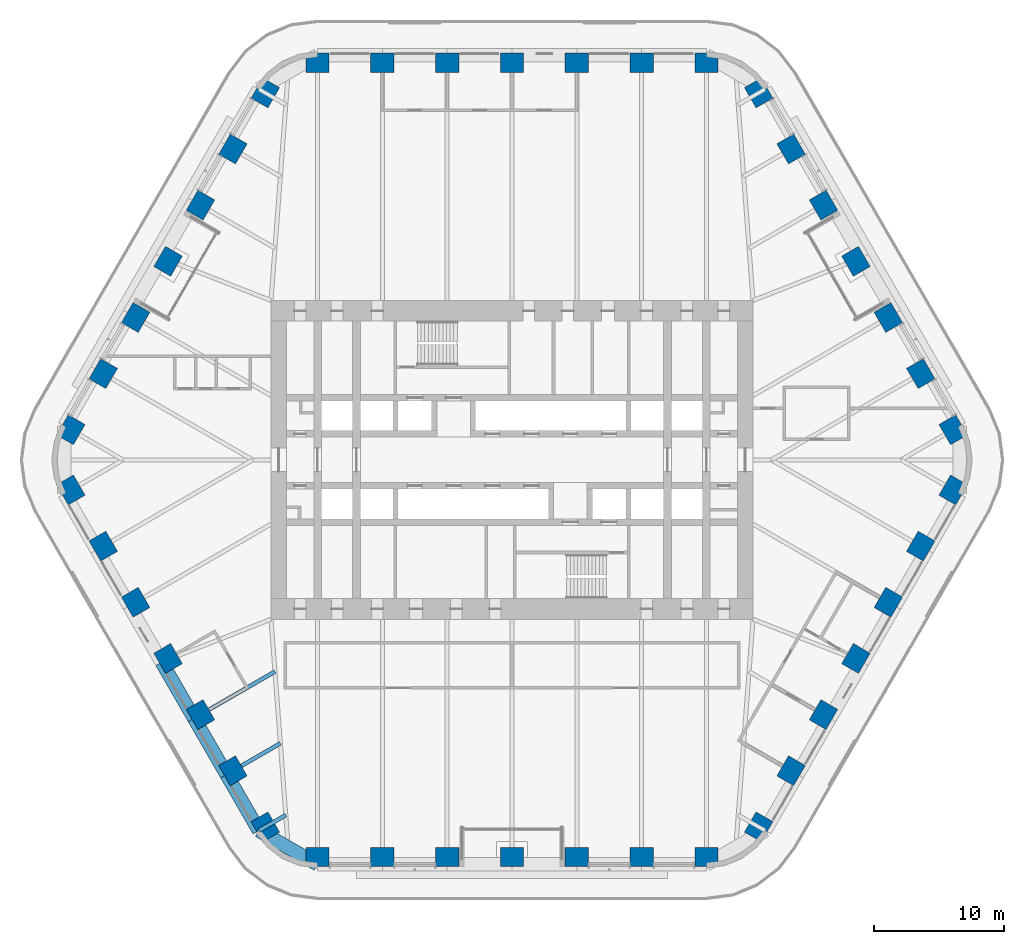
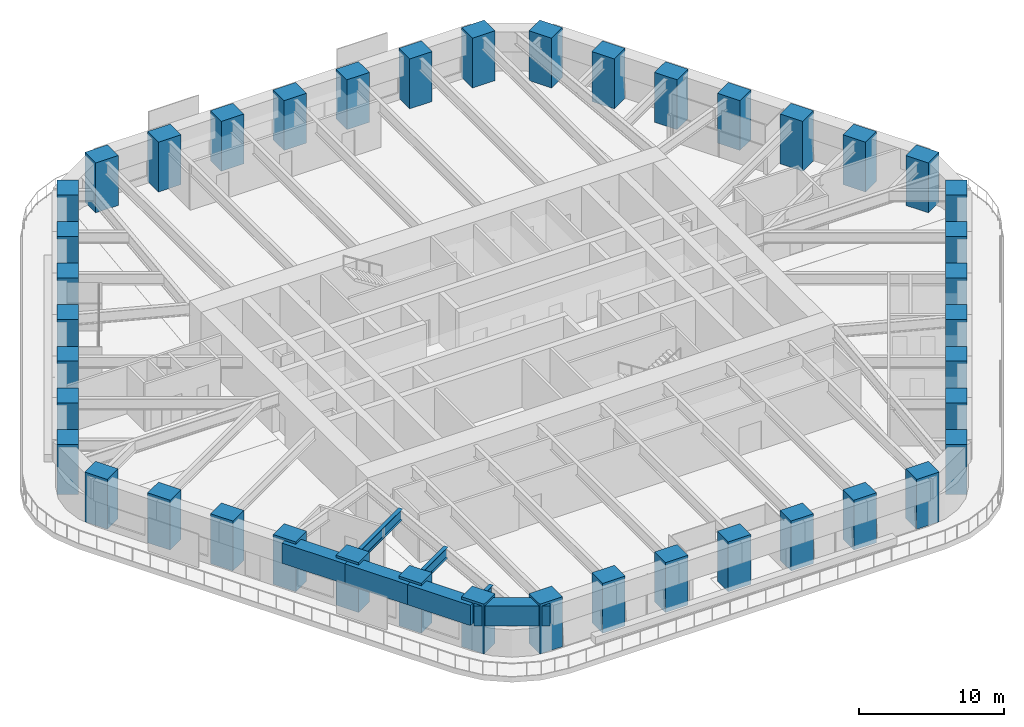
# One storey, part 1 of 24: 42 columns, 7 beams.
"""IFC4 building model written with IfcOpenShell, lengths in metres."""

from ifc_helpers import new_model, si_unit, direction, frame, origin, origin_2d, place, context, subcontext, project, spatial, rectangle, i_section, extrude, material, material_profile, profile_set, type_object, element, save


model = new_model("IFC4")

# Units and contexts
model_context = context("Model", 3, precision=1e-05, world=origin(), true_north=direction((0.0, 1.0)))
body_context = subcontext(model_context, "Body", "Model", "MODEL_VIEW")
ifc_project = project(units=[si_unit("LENGTHUNIT", "METRE"), si_unit("AREAUNIT", "SQUARE_METRE"), si_unit("VOLUMEUNIT", "CUBIC_METRE"), si_unit("PLANEANGLEUNIT", "RADIAN"), si_unit("MASSUNIT", "GRAM", prefix="KILO")], contexts=[model_context])

# Site, building, storey
site_placement = place(None, origin())
site = spatial("IfcSite", under=ifc_project, at=site_placement, CompositionType="ELEMENT")
building_placement = place(site_placement, origin())
building = spatial("IfcBuilding", under=site, at=building_placement, Name="Tarfa Lantern Tower", CompositionType="ELEMENT")
storey_placement = place(building_placement, frame((0.0, 0.0, 123.699951171875)))
storey = spatial("IfcBuildingStorey", under=building, at=storey_placement, Name="L27", CompositionType="ELEMENT", Elevation=123.699951171875)

# Columns
ifc_material_1 = material(Name="Concrete C80/95", Category="concrete")
ifc_material_profile_1 = material_profile(ifc_material_1, rectangle(XDim=1.800048828125, YDim=1.5, at=origin_2d()), Name="RC 1800x1500")
ifc_profile_set_1 = profile_set([ifc_material_profile_1], Name="Concrete C80/95")
column_type = type_object("IfcColumnType", Name="TC5 RC 1800x1500", PredefinedType="COLUMN", material=ifc_profile_set_1)
for number, where, z_axis, x_axis, name in (
    (1, (34.04931640625, 2.324951171875, 0.0), (0.0, 0.0, 1.0), (-0.5, 0.866025403784, 0.0), "Tube column NE0"),
    (2, (31.54736328125, 6.658447265625, 0.0), (0.0, 0.0, 1.0), (-0.5, 0.866025403784, 0.0), "Tube column NE1"),
    (3, (29.04541015625, 10.99169921875, 0.0), (0.0, 0.0, 1.0), (-0.5, 0.866025403784, 0.0), "Tube column NE2"),
    (4, (26.543701171875, 15.324951171875, 0.0), (0.0, 0.0, 1.0), (-0.5, 0.866025403784, 0.0), "Tube column NE3"),
    (5, (24.041748046875, 19.658447265625, 0.0), (0.0, 0.0, 1.0), (-0.5, 0.866025403784, 0.0), "Tube column NE4"),
    (6, (21.5400390625, 23.99169921875, 0.0), (0.0, 0.0, 1.0), (-0.5, 0.866025403784, 0.0), "Tube column NE5"),
    (7, (19.0380859375, 28.324951171875, 0.0), (0.0, 0.0, 1.0), (-0.5, 0.866025403784, 0.0), "Tube column NE6"),
    (8, (15.010986328125, 30.64990234375, 0.0), (0.0, 0.0, 1.0), (-1.0, 0.0, 0.0), "Tube column N0"),
    (9, (10.00732421875, 30.64990234375, 0.0), (0.0, 0.0, 1.0), (-1.0, 0.0, 0.0), "Tube column N1"),
    (10, (5.003662109375, 30.64990234375, 0.0), (0.0, 0.0, 1.0), (-1.0, 0.0, 0.0), "Tube column N2"),
    (11, (0.0, 30.64990234375, 0.0), (0.0, 0.0, 1.0), (-1.0, 0.0, 0.0), "Tube column N3"),
    (12, (-5.003662109375, 30.64990234375, 0.0), (0.0, 0.0, 1.0), (-1.0, 0.0, 0.0), "Tube column N4"),
    (13, (-10.00732421875, 30.64990234375, 0.0), (0.0, 0.0, 1.0), (-1.0, 0.0, 0.0), "Tube column N5"),
    (14, (-15.010986328125, 30.64990234375, 0.0), (0.0, 0.0, 1.0), (-1.0, 0.0, 0.0), "Tube column N6"),
    (15, (-19.0380859375, 28.324951171875, 0.0), (0.0, 0.0, 1.0), (-0.5, -0.866025403784, 0.0), "Tube column NW0"),
    (16, (-21.5400390625, 23.99169921875, 0.0), (0.0, 0.0, 1.0), (-0.5, -0.866025403784, 0.0), "Tube column NW1"),
    (17, (-24.041748046875, 19.658447265625, 0.0), (0.0, 0.0, 1.0), (-0.5, -0.866025403784, 0.0), "Tube column NW2"),
    (18, (-26.543701171875, 15.324951171875, 0.0), (0.0, 0.0, 1.0), (-0.5, -0.866025403784, 0.0), "Tube column NW3"),
    (19, (-29.04541015625, 10.99169921875, 0.0), (0.0, 0.0, 1.0), (-0.5, -0.866025403784, 0.0), "Tube column NW4"),
    (20, (-31.54736328125, 6.658447265625, 0.0), (0.0, 0.0, 1.0), (-0.5, -0.866025403784, 0.0), "Tube column NW5"),
    (21, (-34.04931640625, 2.324951171875, 0.0), (0.0, 0.0, 1.0), (-0.5, -0.866025403784, 0.0), "Tube column NW6"),
    (22, (-34.04931640625, -2.324951171875, 0.0), (0.0, 0.0, 1.0), (0.5, -0.866025403784, 0.0), "Tube column SW0"),
    (23, (-31.54736328125, -6.658447265625, 0.0), (0.0, 0.0, 1.0), (0.5, -0.866025403784, 0.0), "Tube column SW1"),
    (24, (-29.04541015625, -10.99169921875, 0.0), (0.0, 0.0, 1.0), (0.5, -0.866025403784, 0.0), "Tube column SW2"),
    (25, (-26.543701171875, -15.324951171875, 0.0), (0.0, 0.0, 1.0), (0.5, -0.866025403784, 0.0), "Tube column SW3"),
    (26, (-24.041748046875, -19.658447265625, 0.0), (0.0, 0.0, 1.0), (0.5, -0.866025403784, 0.0), "Tube column SW4"),
    (27, (-21.5400390625, -23.99169921875, 0.0), (0.0, 0.0, 1.0), (0.5, -0.866025403784, 0.0), "Tube column SW5"),
    (28, (-19.0380859375, -28.324951171875, 0.0), (0.0, 0.0, 1.0), (0.5, -0.866025403784, 0.0), "Tube column SW6"),
    (29, (-15.010986328125, -30.64990234375, 0.0), (0.0, 0.0, 1.0), (1.0, 0.0, 0.0), "Tube column S0"),
    (30, (-10.00732421875, -30.64990234375, 0.0), (0.0, 0.0, 1.0), (1.0, 0.0, 0.0), "Tube column S1"),
    (31, (-5.003662109375, -30.64990234375, 0.0), (0.0, 0.0, 1.0), (1.0, 0.0, 0.0), "Tube column S2"),
    (32, (0.0, -30.64990234375, 0.0), (0.0, 0.0, 1.0), (1.0, 0.0, 0.0), "Tube column S3"),
    (33, (5.003662109375, -30.64990234375, 0.0), (0.0, 0.0, 1.0), (1.0, 0.0, 0.0), "Tube column S4"),
    (34, (10.00732421875, -30.64990234375, 0.0), (0.0, 0.0, 1.0), (1.0, 0.0, 0.0), "Tube column S5"),
    (35, (15.010986328125, -30.64990234375, 0.0), (0.0, 0.0, 1.0), (1.0, 0.0, 0.0), "Tube column S6"),
    (36, (19.0380859375, -28.324951171875, 0.0), (0.0, 0.0, 1.0), (0.5, 0.866025403784, 0.0), "Tube column SE0"),
    (37, (21.5400390625, -23.99169921875, 0.0), (0.0, 0.0, 1.0), (0.5, 0.866025403784, 0.0), "Tube column SE1"),
    (38, (24.041748046875, -19.658447265625, 0.0), (0.0, 0.0, 1.0), (0.5, 0.866025403784, 0.0), "Tube column SE2"),
    (39, (26.543701171875, -15.324951171875, 0.0), (0.0, 0.0, 1.0), (0.5, 0.866025403784, 0.0), "Tube column SE3"),
    (40, (29.04541015625, -10.99169921875, 0.0), (0.0, 0.0, 1.0), (0.5, 0.866025403784, 0.0), "Tube column SE4"),
    (41, (31.54736328125, -6.658447265625, 0.0), (0.0, 0.0, 1.0), (0.5, 0.866025403784, 0.0), "Tube column SE5"),
    (42, (34.04931640625, -2.324951171875, 0.0), (0.0, 0.0, 1.0), (0.5, 0.866025403784, 0.0), "Tube column SE6"),
):
    element("IfcColumn", number, at=place(storey_placement, frame(where, z_axis=z_axis, x_axis=x_axis)), inside=storey, type_object=column_type, Name=name, PredefinedType="COLUMN", context=body_context, shape_type="SweptSolid", body=[
        extrude(rectangle(XDim=1.800048828125, YDim=1.5, at=origin_2d()), origin(), (0.0, 0.0, 1.0), 4.199951171875),
    ])

# Beams
ifc_material_profile_2 = material_profile(ifc_material_1, rectangle(XDim=1.050048828125, YDim=1.699951171875, at=origin_2d()), Name="RC 1050x1700")
ifc_profile_set_2 = profile_set([ifc_material_profile_2], Name="Concrete C80/95")
beam_type_1 = type_object("IfcBeamType", Name="RB2 RC 1050x1700", PredefinedType="BEAM", material=ifc_profile_set_2)
for number, where, z_axis, x_axis, name in (
    (43, (-27.037353515625, -15.610107421875, 3.150146484375), (0.500022324899, -0.866012514114, 0.0), (0.866012514114, 0.500022324899, 0.0), "Edge beam SW3"),
    (44, (-24.535400390625, -19.943359375, 3.150146484375), (0.49998573051, -0.866033642122, 0.0), (0.866033642122, 0.49998573051, 0.0), "Edge beam SW4"),
):
    element("IfcBeam", number, at=place(storey_placement, frame(where, z_axis=z_axis, x_axis=x_axis)), inside=storey, type_object=beam_type_1, Name=name, PredefinedType="BEAM", context=body_context, shape_type="SweptSolid", body=[
        extrude(rectangle(XDim=1.050048828125, YDim=1.699951171875, at=origin_2d()), origin(), (0.0, 0.0, 1.0), 5.003662109375),
    ])
beam_1_placement = place(storey_placement, frame((-22.03369140625, -24.276611328125, 3.150146484375), z_axis=(0.500001197378, -0.866024712477, 0.0), x_axis=(0.866024712477, 0.500001197378, 0.0)))
element("IfcBeam", 45, at=beam_1_placement, inside=storey, type_object=beam_type_1, Name="Edge beam SW5", PredefinedType="BEAM", context=body_context, shape_type="SweptSolid", body=[
    extrude(rectangle(XDim=1.050048828125, YDim=1.699951171875, at=origin_2d()), origin(), (0.0, 0.0, 1.0), 5.00390625),
])
beam_2_placement = place(storey_placement, frame((-19.53173828125, -28.610107421875, 3.150146484375), z_axis=(0.86604150238, -0.499972115377, 0.0), x_axis=(0.499972115377, 0.86604150238, 0.0)))
element("IfcBeam", 46, at=beam_2_placement, inside=storey, type_object=beam_type_1, Name="Edge beam SW6", PredefinedType="BEAM", context=body_context, shape_type="SweptSolid", body=[
    extrude(rectangle(XDim=1.050048828125, YDim=1.699951171875, at=origin_2d()), origin(), (0.0, 0.0, 1.0), 5.219970703125),
])
ifc_material_2 = material(Name="Steel S460M", Category="steel")
ifc_material_profile_3 = material_profile(ifc_material_2, i_section(OverallWidth=0.305419921875, OverallDepth=0.91845703125, WebThickness=0.017333984375, FlangeThickness=0.02783203125, FilletRadius=0.01904296875, at=origin_2d()), Name="UB914x305x253")
ifc_profile_set_3 = profile_set([ifc_material_profile_3], Name="Steel S460M")
beam_type_2 = type_object("IfcBeamType", Name="UB914x305x253", PredefinedType="BEAM", material=ifc_profile_set_3)
beam_3_placement = place(storey_placement, frame((-24.535400390625, -19.943359375, 3.540771484375), z_axis=(0.86602647304, 0.499998147991, 0.0), x_axis=(-0.499998147991, 0.86602647304, 0.0)))
element("IfcBeam", 47, at=beam_3_placement, inside=storey, type_object=beam_type_2, Name="Floor beam SW4", PredefinedType="BEAM", context=body_context, shape_type="SweptSolid", body=[
    extrude(i_section(OverallWidth=0.305419921875, OverallDepth=0.91845703125, WebThickness=0.017333984375, FlangeThickness=0.02783203125, FilletRadius=0.01904296875, at=origin_2d()), origin(), (0.0, 0.0, 1.0), 7.20556640625),
])
beam_4_placement = place(storey_placement, frame((-22.03369140625, -24.276611328125, 3.540771484375), z_axis=(0.866030550462, 0.499991085587, 0.0), x_axis=(-0.499991085587, 0.866030550462, 0.0)))
element("IfcBeam", 48, at=beam_4_placement, inside=storey, type_object=beam_type_2, Name="Floor beam SW5", PredefinedType="BEAM", context=body_context, shape_type="SweptSolid", body=[
    extrude(i_section(OverallWidth=0.305419921875, OverallDepth=0.91845703125, WebThickness=0.017333984375, FlangeThickness=0.02783203125, FilletRadius=0.01904296875, at=origin_2d()), origin(), (0.0, 0.0, 1.0), 4.798828125),
])
beam_5_placement = place(storey_placement, frame((-19.53173828125, -28.610107421875, 3.540771484375), z_axis=(0.865998640954, 0.500046351717, 0.0), x_axis=(-0.500046351717, 0.865998640954, 0.0)))
element("IfcBeam", 49, at=beam_5_placement, inside=storey, type_object=beam_type_2, Name="Floor beam SW6", PredefinedType="BEAM", context=body_context, shape_type="SweptSolid", body=[
    extrude(i_section(OverallWidth=0.305419921875, OverallDepth=0.91845703125, WebThickness=0.017333984375, FlangeThickness=0.02783203125, FilletRadius=0.01904296875, at=origin_2d()), origin(), (0.0, 0.0, 1.0), 2.392333984375),
])

save(model, "model.ifc")
